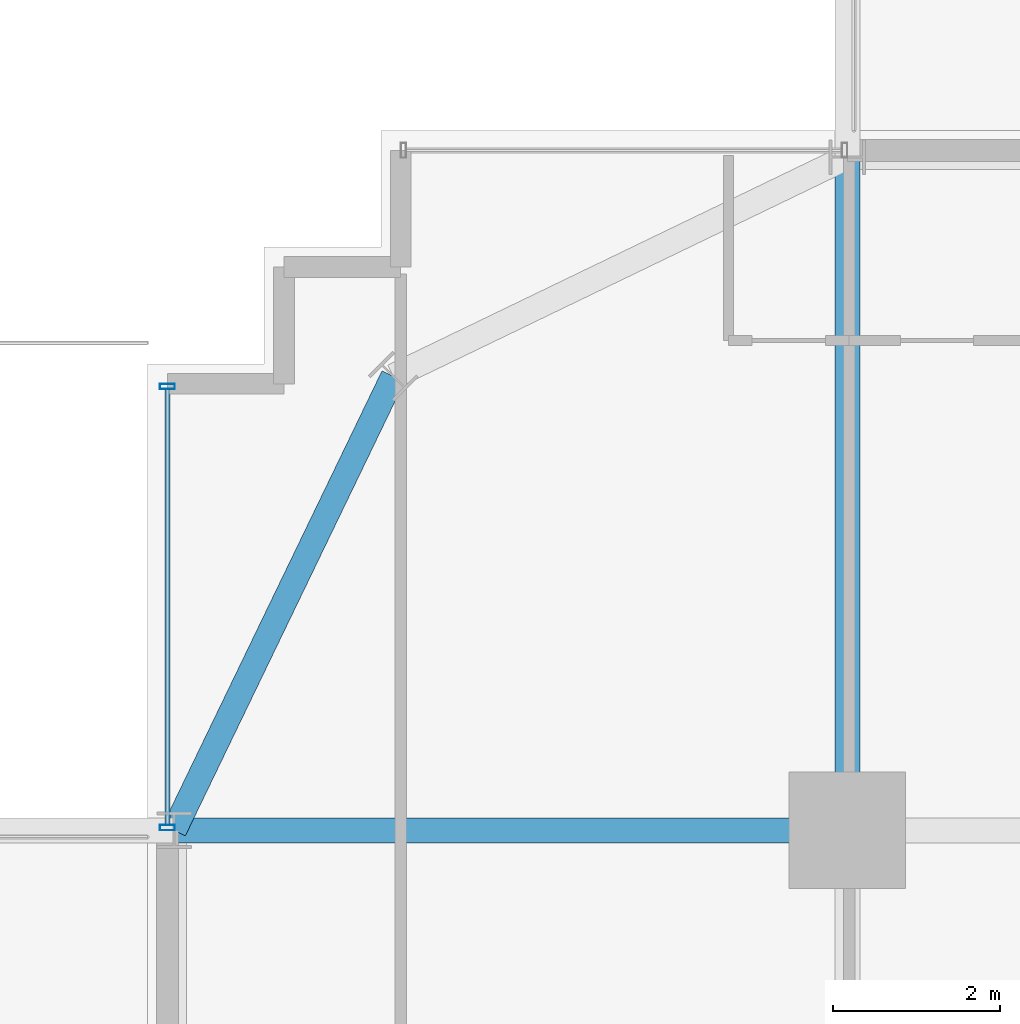
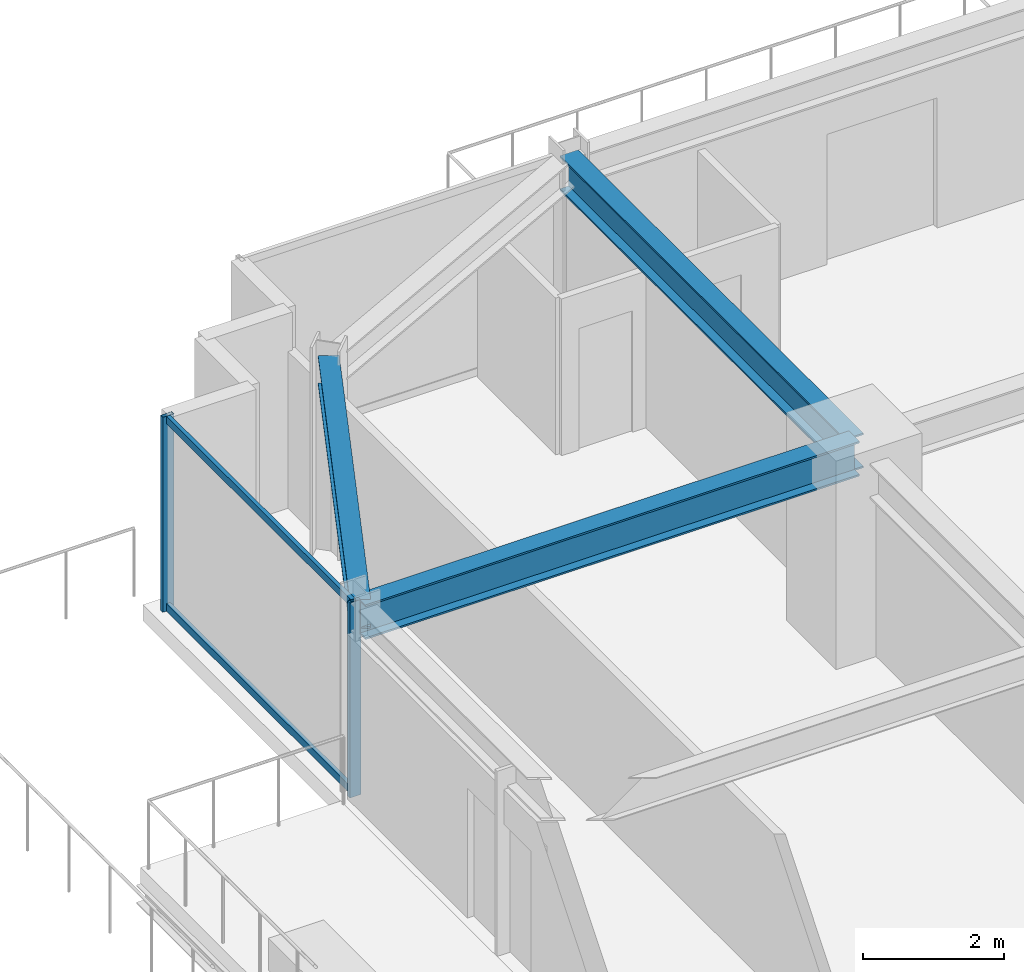
# One storey, part 20 of 39: 4 members, 3 beams, 1 element without a shape of its own.
"""IFC4 building model written with IfcOpenShell, lengths in metres."""

from ifc_helpers import new_model, si_unit, direction, frame, origin, origin_2d, place, context, subcontext, project, spatial, hollow_rectangle, i_section, extrude, source, transform, mapped, material, material_profile, profile_set, type_object, element, aggregate, save


model = new_model("IFC4")

# Units and contexts
model_context = context("Model", 3, precision=1e-05, world=origin(), true_north=direction((0.0, 1.0)))
body_context = subcontext(model_context, "Body", "Model", "MODEL_VIEW")
ifc_project = project(units=[si_unit("LENGTHUNIT", "METRE"), si_unit("AREAUNIT", "SQUARE_METRE"), si_unit("VOLUMEUNIT", "CUBIC_METRE"), si_unit("PLANEANGLEUNIT", "RADIAN"), si_unit("MASSUNIT", "GRAM", prefix="KILO")], contexts=[model_context])

# Site, building, storey
site_placement = place(None, origin())
site = spatial("IfcSite", under=ifc_project, at=site_placement, CompositionType="ELEMENT")
building_placement = place(site_placement, origin())
building = spatial("IfcBuilding", under=site, at=building_placement, Name="Nahalor Promenade Grand Hotel", CompositionType="ELEMENT")
storey_placement = place(building_placement, frame((0.0, 0.0, 32.39990234375)))
storey = spatial("IfcBuildingStorey", under=building, at=storey_placement, Name="L06", CompositionType="ELEMENT", Elevation=32.39990234375)

# Beams
ifc_material_1 = material(Name="Steel S355JR", Category="steel")
ifc_material_profile_1 = material_profile(ifc_material_1, i_section(OverallWidth=0.3, OverallDepth=0.6, WebThickness=0.0155, FlangeThickness=0.03, at=origin_2d()), Name="HEB 600")
ifc_profile_set_1 = profile_set([ifc_material_profile_1], Name="Steel S355JR")
beam_type_1 = type_object("IfcBeamType", Name="Beam-Girder-HEB600", PredefinedType="BEAM", material=ifc_profile_set_1)
shared_shape_1 = source(origin(), body_context, "Body", "SweptSolid", [
    extrude(i_section(OverallWidth=0.3, OverallDepth=0.6, WebThickness=0.0155, FlangeThickness=0.03, at=origin_2d()), origin(), (0.0, 0.0, 1.0), 8.080078125),
])
for number, where, z_axis, x_axis, name in (
    (1, (-25.080078125, 17.0, 3.070068359375), (1.0, 0.0, 0.0), (0.0, 1.0, 0.0), "BM-L06-GX-3-0"),
    (2, (-17.0, 17.0, 3.070068359375), (0.0, 1.0, 0.0), (-1.0, 0.0, 0.0), "BM-L06-GY-0-4"),
):
    element("IfcBeam", number, at=place(storey_placement, frame(where, z_axis=z_axis, x_axis=x_axis)), inside=storey, type_object=beam_type_1, Name=name, PredefinedType="BEAM", context=body_context, shape_type="MappedRepresentation", body=[
        mapped(shared_shape_1, transform((0.0, 0.0, 0.0), scale=1.0)),
    ])
ifc_material_profile_2 = material_profile(ifc_material_1, i_section(OverallWidth=0.3, OverallDepth=0.5, WebThickness=0.0145, FlangeThickness=0.028, at=origin_2d()), Name="HEB 500")
ifc_profile_set_2 = profile_set([ifc_material_profile_2], Name="Steel S355JR")
beam_type_2 = type_object("IfcBeamType", Name="Beam-Spandrel-HEB500", PredefinedType="SPANDREL", material=ifc_profile_set_2)
shared_shape_2 = source(origin(), body_context, "Body", "SweptSolid", [
    extrude(i_section(OverallWidth=0.3, OverallDepth=0.5, WebThickness=0.0145, FlangeThickness=0.028, at=origin_2d()), origin(), (0.0, 0.0, 1.0), 6.051513671875),
])
beam_placement = place(storey_placement, frame((-22.449951171875, 22.449951171875, 3.1201171875), z_axis=(-0.434630596492, -0.900608818852, 0.0), x_axis=(0.900608818852, -0.434630596492, 0.0)))
element("IfcBeam", 3, at=beam_placement, inside=storey, type_object=beam_type_2, Name="BM-L06-SPC-NW-2", PredefinedType="SPANDREL", context=body_context, shape_type="MappedRepresentation", body=[
    mapped(shared_shape_2, transform((0.0, 0.0, 0.0), scale=1.0)),
])

# Curtain wall, members
ifc_material_2 = material(Name="Anodised Bronze Aluminium EN AW-6063 T6", Category="aluminium")
curtain_wall_type = type_object("IfcCurtainWallType", Name="CW2 Typical Hotel Flush Bronze Unitised Curtain Wall", PredefinedType="USERDEFINED", material=ifc_material_2)
curtain_wall_placement = place(storey_placement, origin())
curtain_wall = element("IfcCurtainWall", 4, at=curtain_wall_placement, inside=storey, type_object=curtain_wall_type, Name="L06 Curtain Wall CW-L06-W-3", ObjectType="UNITISED_CURTAIN_WALL", PredefinedType="USERDEFINED")
ifc_material_profile_3 = material_profile(ifc_material_2, hollow_rectangle(XDim=0.065, YDim=0.18, WallThickness=0.004, at=origin_2d()), Name="CWM 65x180x4")
ifc_profile_set_3 = profile_set([ifc_material_profile_3], Name="Anodised Bronze Aluminium EN AW-6063 T6")
member_type_1 = type_object("IfcMemberType", Name="CWM2 Typical Bronze Mullion 65x180", PredefinedType="MULLION", material=ifc_profile_set_3)
shared_shape_3 = source(origin(), body_context, "Body", "SweptSolid", [
    extrude(hollow_rectangle(XDim=0.065, YDim=0.18, WallThickness=0.004, at=origin_2d()), origin(), (0.0, 0.0, 1.0), 3.3701171875),
])
member_1_placement = place(storey_placement, frame((-25.159912109375, 17.032470703125, 0.0), z_axis=(0.0, 0.0, 1.0), x_axis=(0.0, 1.0, 0.0)))
member_1 = element("IfcMember", 5, at=member_1_placement, type_object=member_type_1, Name="CW-L06-W-3 Mullion 0", PredefinedType="MULLION", context=body_context, shape_type="MappedRepresentation", body=[
    mapped(shared_shape_3, transform((0.0, 0.0, 0.0), scale=1.0)),
])
member_2_placement = place(storey_placement, frame((-25.159912109375, 22.327392578125, 0.0), z_axis=(0.0, 0.0, 1.0), x_axis=(0.0, 1.0, 0.0)))
member_2 = element("IfcMember", 6, at=member_2_placement, type_object=member_type_1, Name="CW-L06-W-3 Mullion 1", PredefinedType="MULLION", context=body_context, shape_type="MappedRepresentation", body=[
    mapped(shared_shape_3, transform((0.0, 0.0, 0.0), scale=1.0)),
])
ifc_material_profile_4 = material_profile(ifc_material_2, hollow_rectangle(XDim=0.065, YDim=0.13, WallThickness=0.004, at=origin_2d()), Name="CWT 65x130x4")
ifc_profile_set_4 = profile_set([ifc_material_profile_4], Name="Anodised Bronze Aluminium EN AW-6063 T6")
member_type_2 = type_object("IfcMemberType", Name="CWT2 Typical Bronze Transom 65x130", PredefinedType="USERDEFINED", material=ifc_profile_set_4)
shared_shape_4 = source(origin(), body_context, "Body", "SweptSolid", [
    extrude(hollow_rectangle(XDim=0.065, YDim=0.13, WallThickness=0.004, at=origin_2d()), origin(), (0.0, 0.0, 1.0), 5.22998046875),
])
member_3_placement = place(storey_placement, frame((-25.159912109375, 17.06494140625, 0.065185546875), z_axis=(0.0, 1.0, 0.0), x_axis=(-1.0, 0.0, 0.0)))
member_3 = element("IfcMember", 7, at=member_3_placement, type_object=member_type_2, Name="CW-L06-W-3 Transom 0-0", ObjectType="TRANSOM", PredefinedType="USERDEFINED", context=body_context, shape_type="MappedRepresentation", body=[
    mapped(shared_shape_4, transform((0.0, 0.0, 0.0), scale=1.0)),
])
member_4_placement = place(storey_placement, frame((-25.159912109375, 17.06494140625, 3.30517578125), z_axis=(0.0, 1.0, 0.0), x_axis=(-1.0, 0.0, 0.0)))
member_4 = element("IfcMember", 8, at=member_4_placement, type_object=member_type_2, Name="CW-L06-W-3 Transom 0-1", ObjectType="TRANSOM", PredefinedType="USERDEFINED", context=body_context, shape_type="MappedRepresentation", body=[
    mapped(shared_shape_4, transform((0.0, 0.0, 0.0), scale=1.0)),
])
aggregate(curtain_wall, [member_1, member_2, member_3, member_4])

save(model, "model.ifc")
